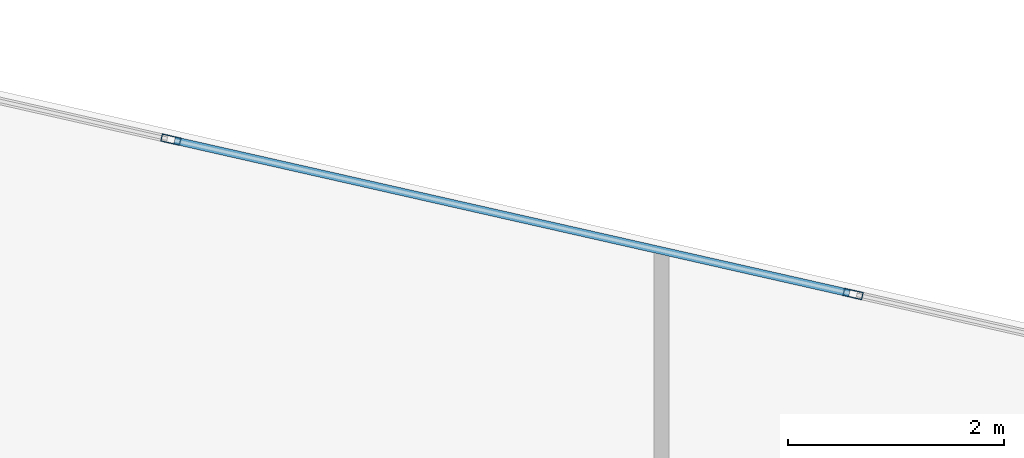
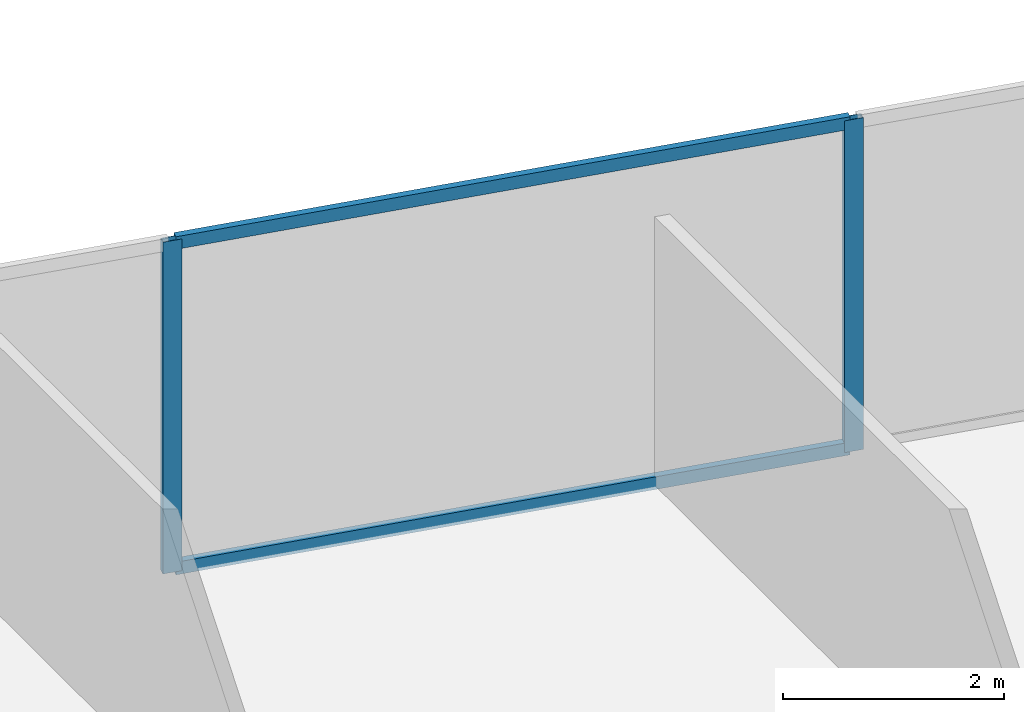
# One storey, part 21 of 26: 4 members, 1 element without a shape of its own.
"""IFC4 building model written with IfcOpenShell, lengths in metres."""

from ifc_helpers import new_model, si_unit, direction, frame, origin, origin_2d, place, context, subcontext, project, spatial, hollow_rectangle, extrude, source, transform, mapped, material, material_profile, profile_set, type_object, type_shapes, element, aggregate, save


model = new_model("IFC4")

# Units and contexts
model_context = context("Model", 3, precision=1e-05, world=origin(), true_north=direction((0.0, 1.0)))
body_context = subcontext(model_context, "Body", "Model", "MODEL_VIEW")
ifc_project = project(units=[si_unit("LENGTHUNIT", "METRE"), si_unit("AREAUNIT", "SQUARE_METRE"), si_unit("VOLUMEUNIT", "CUBIC_METRE"), si_unit("PLANEANGLEUNIT", "RADIAN"), si_unit("MASSUNIT", "GRAM", prefix="KILO")], contexts=[model_context])

# Site, building, storey
site_placement = place(None, origin())
site = spatial("IfcSite", under=ifc_project, at=site_placement, CompositionType="ELEMENT")
building_placement = place(site_placement, origin())
building = spatial("IfcBuilding", under=site, at=building_placement, Name="Krantzveldt Concourse Tower", CompositionType="ELEMENT")
storey_placement = place(building_placement, frame((0.0, 0.0, 94.0)))
storey = spatial("IfcBuildingStorey", under=building, at=storey_placement, Name="L22", CompositionType="ELEMENT", Elevation=94.0)

# Curtain wall, members
ifc_material = material(Name="Anodised aluminium 6063-T6", Category="aluminium")
curtain_wall_type = type_object("IfcCurtainWallType", Name="CW2", PredefinedType="USERDEFINED", material=ifc_material)
curtain_wall_placement = place(storey_placement, origin())
curtain_wall = element("IfcCurtainWall", 1, at=curtain_wall_placement, inside=storey, type_object=curtain_wall_type, Name="CW-L22-F10", ObjectType="UNITISED CURTAIN WALL", PredefinedType="USERDEFINED")
ifc_material_profile_1 = material_profile(ifc_material, hollow_rectangle(XDim=0.070068359375, YDim=0.179931640625, WallThickness=0.0048828125, at=origin_2d()), Name="Anodised aluminium 6063-T6", Category="aluminium")
ifc_profile_set_1 = profile_set([ifc_material_profile_1], Name="Anodised aluminium 6063-T6 - ALU-MULL 180x70x5")
member_type_1 = type_object("IfcMemberType", Name="CW-MUL-180", PredefinedType="MULLION", material=ifc_profile_set_1)
shared_shape_1 = source(origin(), body_context, "Body", "SweptSolid", [
    extrude(hollow_rectangle(XDim=0.070068359375, YDim=0.179931640625, WallThickness=0.0048828125, at=origin_2d()), origin(), (0.0, 0.0, 1.0), 3.669921875),
])
type_shapes(member_type_1, [shared_shape_1])
member_1_placement = place(storey_placement, frame((47.45166015625, 48.008056640625, 0.0), z_axis=(0.0, 0.0, 1.0), x_axis=(-0.220697434579, -0.975342320609, 0.0)))
member_1 = element("IfcMember", 2, at=member_1_placement, type_object=member_type_1, Name="CW-Z12 mullion 3", PredefinedType="MULLION", context=body_context, shape_type="MappedRepresentation", body=[
    mapped(shared_shape_1, transform((0.0, 0.0, 0.0), x_axis=(1.0, 0.0, 0.0), y_axis=(0.0, 1.0, 0.0), z_axis=(0.0, 0.0, 1.0), scale=1.0)),
])
member_2_placement = place(storey_placement, frame((41.14453125, 49.435302734375, 0.0), z_axis=(0.0, 0.0, 1.0), x_axis=(-0.220697434579, -0.975342320609, 0.0)))
member_2 = element("IfcMember", 3, at=member_2_placement, type_object=member_type_1, Name="CW-Z12 mullion 4", PredefinedType="MULLION", context=body_context, shape_type="MappedRepresentation", body=[
    mapped(shared_shape_1, transform((0.0, 0.0, 0.0), x_axis=(1.0, 0.0, 0.0), y_axis=(0.0, 1.0, 0.0), z_axis=(0.0, 0.0, 1.0), scale=1.0)),
])
ifc_material_profile_2 = material_profile(ifc_material, hollow_rectangle(XDim=0.070068359375, YDim=0.139892578125, WallThickness=0.0048828125, at=origin_2d()), Name="Anodised aluminium 6063-T6", Category="aluminium")
ifc_profile_set_2 = profile_set([ifc_material_profile_2], Name="Anodised aluminium 6063-T6 - ALU-TRAN 140x70x5")
member_type_2 = type_object("IfcMemberType", Name="CW-TRN-150", PredefinedType="USERDEFINED", material=ifc_profile_set_2)
shared_shape_2 = source(origin(), body_context, "Body", "SweptSolid", [
    extrude(hollow_rectangle(XDim=0.070068359375, YDim=0.139892578125, WallThickness=0.0048828125, at=origin_2d()), origin(), (0.0, 0.0, 1.0), 6.396484375),
])
type_shapes(member_type_2, [shared_shape_2])
member_3_placement = place(storey_placement, frame((47.41748046875, 48.015869140625, 0.034912109375), z_axis=(-0.975344619733, 0.220687273667, 0.0), x_axis=(-0.220687273667, -0.975344619733, 0.0)))
member_3 = element("IfcMember", 4, at=member_3_placement, type_object=member_type_2, Name="CW-Z12 transom 3.1", ObjectType="TRANSOM", PredefinedType="USERDEFINED", context=body_context, shape_type="MappedRepresentation", body=[
    mapped(shared_shape_2, transform((0.0, 0.0, 0.0), x_axis=(1.0, 0.0, 0.0), y_axis=(0.0, 1.0, 0.0), z_axis=(0.0, 0.0, 1.0), scale=1.0)),
])
member_4_placement = place(storey_placement, frame((47.41748046875, 48.015869140625, 3.635009765625), z_axis=(-0.975344619733, 0.220687273667, 0.0), x_axis=(-0.220687273667, -0.975344619733, 0.0)))
member_4 = element("IfcMember", 5, at=member_4_placement, type_object=member_type_2, Name="CW-Z12 transom 3.2", ObjectType="TRANSOM", PredefinedType="USERDEFINED", context=body_context, shape_type="MappedRepresentation", body=[
    mapped(shared_shape_2, transform((0.0, 0.0, 0.0), x_axis=(1.0, 0.0, 0.0), y_axis=(0.0, 1.0, 0.0), z_axis=(0.0, 0.0, 1.0), scale=1.0)),
])
aggregate(curtain_wall, [member_1, member_2, member_3, member_4])

save(model, "model.ifc")
